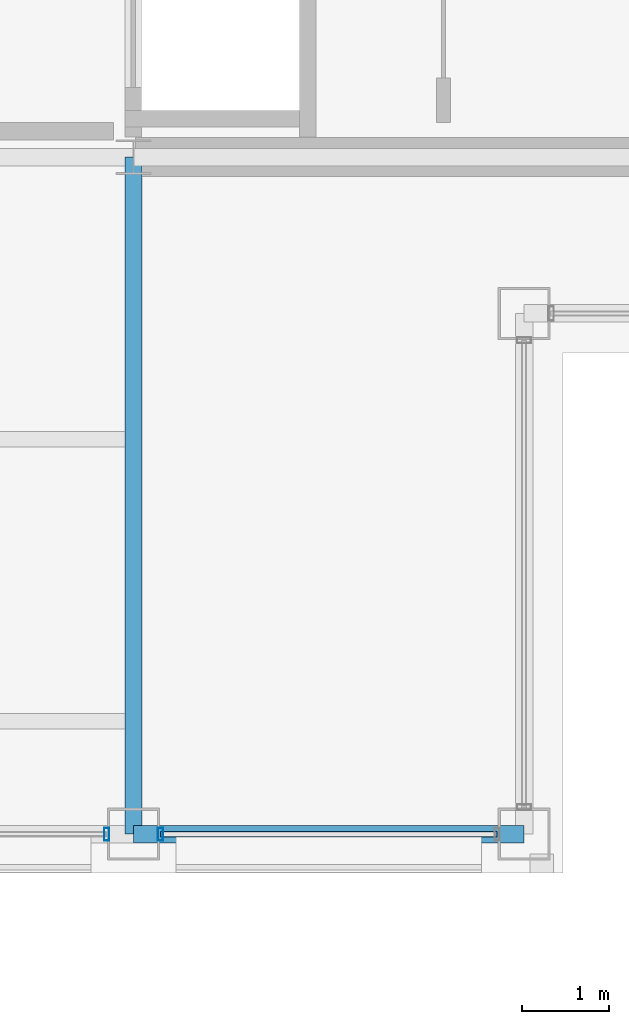
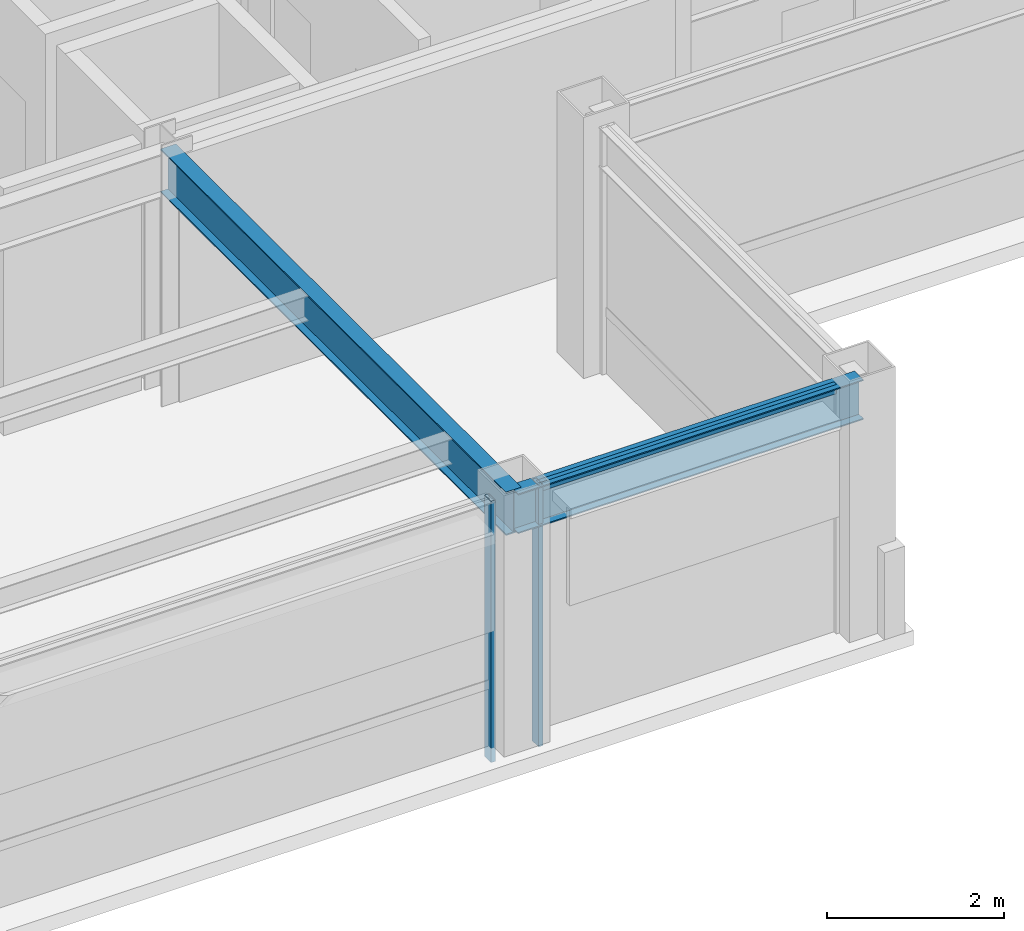
# One storey, part 8 of 28: 3 members, 2 beams, 2 elements without a shape of their own.
"""IFC4 building model written with IfcOpenShell, lengths in metres."""

from ifc_helpers import new_model, si_unit, direction, frame, origin, origin_2d, place, context, subcontext, project, spatial, hollow_rectangle, i_section, extrude, material, layer, layer_set, material_profile, profile_set, type_object, element, aggregate, save


model = new_model("IFC4")

# Units and contexts
model_context = context("Model", 3, precision=1e-05, world=origin(), true_north=direction((0.0, 1.0)))
body_context = subcontext(model_context, "Body", "Model", "MODEL_VIEW")
ifc_project = project(units=[si_unit("LENGTHUNIT", "METRE"), si_unit("AREAUNIT", "SQUARE_METRE"), si_unit("VOLUMEUNIT", "CUBIC_METRE"), si_unit("PLANEANGLEUNIT", "RADIAN"), si_unit("MASSUNIT", "GRAM", prefix="KILO")], contexts=[model_context])

# Site, building, storey
site_placement = place(None, origin())
site = spatial("IfcSite", under=ifc_project, at=site_placement, CompositionType="ELEMENT")
building_placement = place(site_placement, origin())
building = spatial("IfcBuilding", under=site, at=building_placement, Name="Brelmoor Portico Tower", CompositionType="ELEMENT")
storey_placement = place(building_placement, frame((0.0, 0.0, 265.199951171875)))
storey = spatial("IfcBuildingStorey", under=building, at=storey_placement, Name="L70", CompositionType="ELEMENT", Elevation=265.199951171875)

# Beams
ifc_material_1 = material(Name="Steel Q355B", Category="steel")
ifc_material_profile_1 = material_profile(ifc_material_1, i_section(OverallWidth=0.199951171875, OverallDepth=0.60009765625, WebThickness=0.010986328125, FlangeThickness=0.01708984375, at=origin_2d()), Name="HN 600x200x11x17")
ifc_profile_set_1 = profile_set([ifc_material_profile_1], Name="Steel Q355B")
beam_type_1 = type_object("IfcBeamType", Name="BM-PG-600", PredefinedType="BEAM", material=ifc_profile_set_1)
beam_1_placement = place(storey_placement, frame((8.050048828125, -17.550048828125, 3.10009765625), z_axis=(0.0, 1.0, 0.0), x_axis=(-1.0, 0.0, 0.0)))
element("IfcBeam", 1, at=beam_1_placement, inside=storey, type_object=beam_type_1, Name="L70 Primary Floor Girder PG-06", PredefinedType="BEAM", context=body_context, shape_type="SweptSolid", body=[
    extrude(i_section(OverallWidth=0.199951171875, OverallDepth=0.60009765625, WebThickness=0.010986328125, FlangeThickness=0.01708984375, at=origin_2d()), origin(), (0.0, 0.0, 1.0), 7.800048828125),
])
ifc_material_profile_2 = material_profile(ifc_material_1, i_section(OverallWidth=0.199951171875, OverallDepth=0.550048828125, WebThickness=0.010009765625, FlangeThickness=0.01611328125, at=origin_2d()), Name="HN 550x200x10x16")
ifc_profile_set_2 = profile_set([ifc_material_profile_2], Name="Steel Q355B")
beam_type_2 = type_object("IfcBeamType", Name="BM-SP-550", PredefinedType="SPANDREL", material=ifc_profile_set_2)
beam_2_placement = place(storey_placement, frame((8.050048828125, -17.550048828125, 3.125), z_axis=(1.0, 0.0, 0.0), x_axis=(0.0, 1.0, 0.0)))
element("IfcBeam", 2, at=beam_2_placement, inside=storey, type_object=beam_type_2, Name="L70 Perimeter Spandrel Beam SP-03", PredefinedType="SPANDREL", context=body_context, shape_type="SweptSolid", body=[
    extrude(i_section(OverallWidth=0.199951171875, OverallDepth=0.550048828125, WebThickness=0.010009765625, FlangeThickness=0.01611328125, at=origin_2d()), origin(), (0.0, 0.0, 1.0), 4.5),
])

# Curtain wall, member
ifc_material_2 = material(Name="Anodised Aluminium Alloy 6063-T6", Category="aluminium")
ifc_layer_1 = layer(ifc_material_2, 0.179931640625)
ifc_layer_set_1 = layer_set([ifc_layer_1], Name="Anodised Aluminium Alloy 6063-T6")
curtain_wall_type_1 = type_object("IfcCurtainWallType", Name="CW-TOWER-Z4", PredefinedType="NOTDEFINED", material=ifc_layer_set_1)
curtain_wall_1_placement = place(storey_placement, origin())
curtain_wall_1 = element("IfcCurtainWall", 3, at=curtain_wall_1_placement, inside=storey, type_object=curtain_wall_type_1, Name="L70 Curtain Wall CW-L70-1R-1", PredefinedType="NOTDEFINED")
ifc_material_profile_3 = material_profile(ifc_material_2, hollow_rectangle(XDim=0.06005859375, YDim=0.14990234375, WallThickness=0.00390625, at=origin_2d()), Name="ALU MULLION 60x150")
ifc_profile_set_3 = profile_set([ifc_material_profile_3], Name="Anodised Aluminium Alloy 6063-T6")
member_type_1 = type_object("IfcMemberType", Name="MB-CW-MULL-150", PredefinedType="MULLION", material=ifc_profile_set_3)
member_1_placement = place(storey_placement, frame((7.739990234375, -17.550048828125, -0.199951171875), z_axis=(0.0, 0.0, 1.0), x_axis=(1.0, 0.0, 0.0)))
member_1 = element("IfcMember", 4, at=member_1_placement, type_object=member_type_1, Name="CW-L70-1R-1 Mullion 01", PredefinedType="MULLION", context=body_context, shape_type="SweptSolid", body=[
    extrude(hollow_rectangle(XDim=0.06005859375, YDim=0.14990234375, WallThickness=0.00390625, at=origin_2d()), origin(), (0.0, 0.0, 1.0), 3.60009765625),
])
aggregate(curtain_wall_1, [member_1])

# Curtain wall, members
ifc_layer_2 = layer(ifc_material_2, 0.179931640625)
ifc_layer_set_2 = layer_set([ifc_layer_2], Name="Anodised Aluminium Alloy 6063-T6")
curtain_wall_type_2 = type_object("IfcCurtainWallType", Name="CW-TOWER-Z4-XB", PredefinedType="NOTDEFINED", material=ifc_layer_set_2)
curtain_wall_2_placement = place(storey_placement, origin())
curtain_wall_2 = element("IfcCurtainWall", 5, at=curtain_wall_2_placement, inside=storey, type_object=curtain_wall_type_2, Name="L70 Curtain Wall CW-L70-1R-2", PredefinedType="NOTDEFINED")
member_2_placement = place(storey_placement, frame((8.360107421875, -17.550048828125, -0.199951171875), z_axis=(0.0, 0.0, 1.0), x_axis=(1.0, 0.0, 0.0)))
member_2 = element("IfcMember", 6, at=member_2_placement, type_object=member_type_1, Name="CW-L70-1R-2 Mullion 00", PredefinedType="MULLION", context=body_context, shape_type="SweptSolid", body=[
    extrude(hollow_rectangle(XDim=0.06005859375, YDim=0.14990234375, WallThickness=0.00390625, at=origin_2d()), origin(), (0.0, 0.0, 1.0), 3.60009765625),
])
ifc_material_profile_4 = material_profile(ifc_material_2, hollow_rectangle(XDim=0.06005859375, YDim=0.125, WallThickness=0.00341796875, at=origin_2d()), Name="ALU TRANSOM 60x125")
ifc_profile_set_4 = profile_set([ifc_material_profile_4], Name="Anodised Aluminium Alloy 6063-T6")
member_type_2 = type_object("IfcMemberType", Name="MB-CW-TRAN-125", PredefinedType="USERDEFINED", material=ifc_profile_set_4)
member_3_placement = place(storey_placement, frame((8.360107421875, -17.550048828125, 3.337646484375), z_axis=(1.0, 0.0, 0.0), x_axis=(0.0, 1.0, 0.0)))
member_3 = element("IfcMember", 7, at=member_3_placement, type_object=member_type_2, Name="CW-L70-1R-2 Transom 1-00", ObjectType="TRANSOM", PredefinedType="USERDEFINED", context=body_context, shape_type="SweptSolid", body=[
    extrude(hollow_rectangle(XDim=0.06005859375, YDim=0.125, WallThickness=0.00341796875, at=origin_2d()), origin(), (0.0, 0.0, 1.0), 3.8798828125),
])
aggregate(curtain_wall_2, [member_2, member_3])

save(model, "model.ifc")
